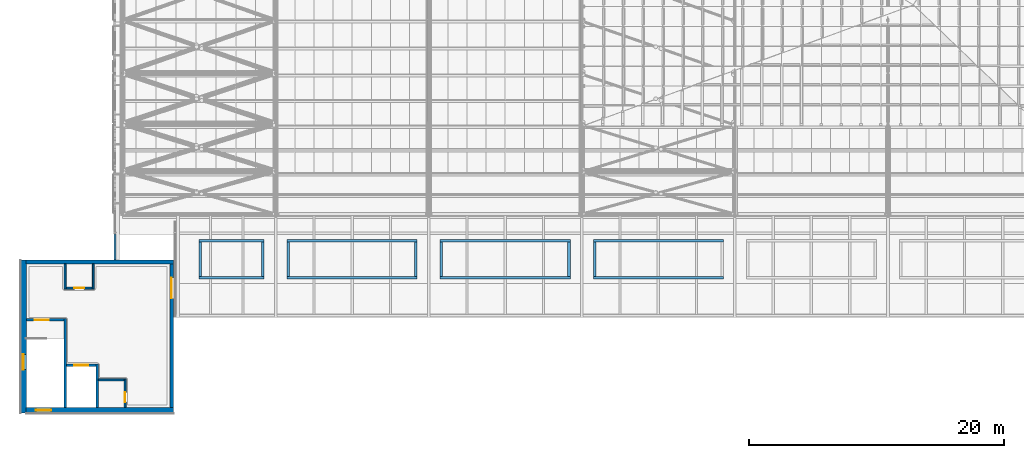
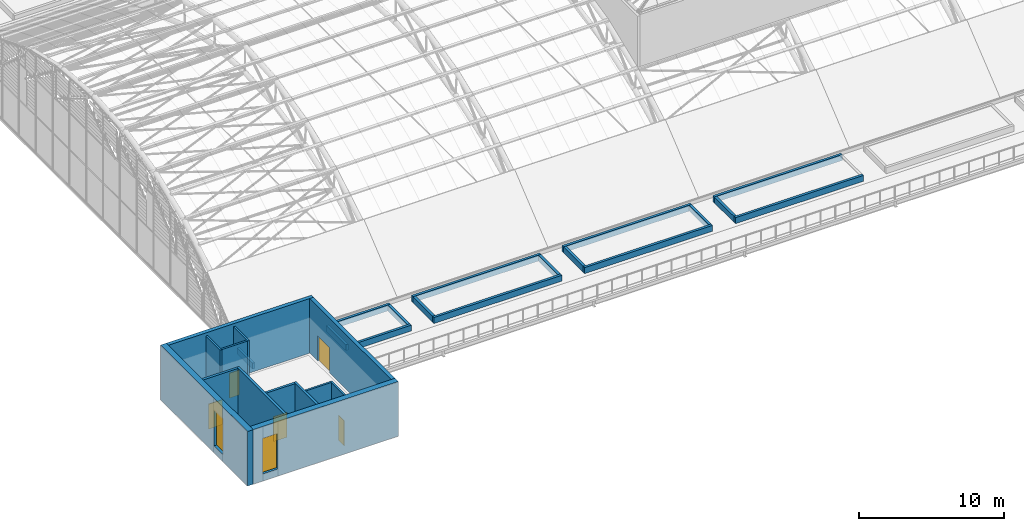
# One storey, part 81 of 110: 29 walls, 5 doors, 2 windows, 7 openings.
"""IFC4 building model written with IfcOpenShell, lengths in metres."""

import ifcopenshell
import ifcopenshell.guid

model = None  # the IFC model being written
_history = None  # IfcOwnerHistory: only IFC2X3 demands one
_inside = {}  # id of a spatial element -> (the spatial element, [elements in it])
_under = {}  # id of a project, library or spatial element -> (it, [spatial elements below it])
_declared = {}  # id of a project -> (the project, [libraries it declares])
_typed = {}  # id of a type object -> (the type object, [elements of that type])
_made_of = {}  # id of a material, layer set ... -> (it, [elements and type objects made of it])


def new_model(schema):
    """Start an empty IFC model of exactly this schema.

    Asked for "IFC4X3", IfcOpenShell would pick the latest addendum, in which some entities
    have other attributes; the version numbers below select the first issue.
    IFC2X3 requires an IfcOwnerHistory on every rooted entity: one is made here for all.
    """
    global model, _history
    if schema == "IFC4X3":
        model = ifcopenshell.file(schema_version=(4, 3, 0, 0))
    else:
        model = ifcopenshell.file(schema=schema)
    _inside.clear()
    _under.clear()
    _declared.clear()
    _typed.clear()
    _made_of.clear()
    _history = None
    if model.schema == "IFC2X3":
        org = make("IfcOrganization", Name="unknown")
        user = make(
            "IfcPersonAndOrganization",
            ThePerson=make("IfcPerson", FamilyName="unknown"),
            TheOrganization=org,
        )
        app = make(
            "IfcApplication",
            ApplicationDeveloper=org,
            Version="unknown",
            ApplicationFullName="unknown",
            ApplicationIdentifier="unknown",
        )
        _history = make(
            "IfcOwnerHistory",
            OwningUser=user,
            OwningApplication=app,
            ChangeAction="ADDED",
            CreationDate=0,
        )
    return model


def make(cls, **values):
    """One entity of the class cls with the attributes given. An attribute that is None is left unset."""
    return model.create_entity(
        cls, **{name: value for name, value in values.items() if value is not None}
    )


def rooted(cls, **values):
    """An entity with a GlobalId (a new one), such as an element, a storey or a relation."""
    return make(cls, GlobalId=ifcopenshell.guid.new(), OwnerHistory=_history, **values)


def si_unit(unit_type, name, prefix=None):
    """IfcSIUnit, for example si_unit("LENGTHUNIT", "METRE", prefix="MILLI")."""
    return make("IfcSIUnit", UnitType=unit_type, Prefix=prefix, Name=name)


def assignment(units):
    """IfcUnitAssignment: the units of a project."""
    return None if units is None else make("IfcUnitAssignment", Units=units)


def point(xyz):
    """IfcCartesianPoint."""
    return None if xyz is None else make("IfcCartesianPoint", Coordinates=xyz)


def direction(xyz):
    """IfcDirection."""
    return None if xyz is None else make("IfcDirection", DirectionRatios=xyz)


def frame(location, z_axis=None, x_axis=None):
    """IfcAxis2Placement3D, a coordinate frame: its origin and axes. An axis left out is left unset."""
    return make(
        "IfcAxis2Placement3D",
        Location=point(location),
        Axis=direction(z_axis),
        RefDirection=direction(x_axis),
    )


def frame_2d(location, x_axis=None):
    """IfcAxis2Placement2D, a coordinate frame in the plane: its origin and x axis."""
    return make(
        "IfcAxis2Placement2D", Location=point(location), RefDirection=direction(x_axis)
    )


def origin():
    """The frame at (0, 0, 0) with its axes left unset."""
    return frame((0.0, 0.0, 0.0))


def place(relative_to, where):
    """IfcLocalPlacement: puts the frame where relative to a parent placement (None: the world)."""
    return make(
        "IfcLocalPlacement", PlacementRelTo=relative_to, RelativePlacement=where
    )


def context(
    kind, dimensions, precision=None, world=None, true_north=None, identifier=None
):
    """IfcGeometricRepresentationContext, for example the 3D "Model" context."""
    return make(
        "IfcGeometricRepresentationContext",
        ContextIdentifier=identifier,
        ContextType=kind,
        CoordinateSpaceDimension=dimensions,
        Precision=precision,
        WorldCoordinateSystem=world,
        TrueNorth=true_north,
    )


def subcontext(parent, identifier, kind, view, scale=None):
    """IfcGeometricRepresentationSubContext, for example "Body" below "Model"."""
    return make(
        "IfcGeometricRepresentationSubContext",
        ContextIdentifier=identifier,
        ContextType=kind,
        ParentContext=parent,
        TargetScale=scale,
        TargetView=view,
    )


def project(units=None, contexts=None):
    """IfcProject with its units and contexts."""
    return rooted(
        "IfcProject",
        Name="project",
        RepresentationContexts=contexts,
        UnitsInContext=assignment(units),
    )


def spatial(cls, under=None, at=None, **own):
    """A site, building, storey or space (cls), placed at a placement, below another one or the project."""
    s = rooted(cls, ObjectPlacement=at, **own)
    if under is not None:
        _under.setdefault(under.id(), (under, []))[1].append(s)
    return s


def profile(cls, at=None, kind="AREA", **sizes):
    """A parametric profile (cls). Its sizes go by their IFC names, for example OverallWidth=200.0."""
    return make(cls, ProfileType=kind, Position=at, **sizes)


def rectangle(**sizes):
    """IfcRectangleProfileDef."""
    return profile("IfcRectangleProfileDef", **sizes)


def extrude(swept, where, along, depth):
    """IfcExtrudedAreaSolid: the profile swept, set in the frame where, extruded along a direction by depth."""
    return make(
        "IfcExtrudedAreaSolid",
        SweptArea=swept,
        Position=where,
        ExtrudedDirection=direction(along),
        Depth=depth,
    )


def shape(context_of_items, identifier, shape_type, items):
    """IfcShapeRepresentation: the items that make up one representation, for example the "Body"."""
    return make(
        "IfcShapeRepresentation",
        ContextOfItems=context_of_items,
        RepresentationIdentifier=identifier,
        RepresentationType=shape_type,
        Items=items,
    )


def material(Name=None, Category=None):
    """IfcMaterial."""
    return make("IfcMaterial", Name=Name, Category=Category)


def layer(
    of_material, thickness, ventilated=None, Name=None, Category=None, Priority=None
):
    """IfcMaterialLayer: one layer of a wall or slab, of a material (None: an air gap)."""
    return make(
        "IfcMaterialLayer",
        Material=of_material,
        LayerThickness=thickness,
        IsVentilated=ventilated,
        Name=Name,
        Category=Category,
        Priority=Priority,
    )


def layer_set(layers, Name=None):
    """IfcMaterialLayerSet."""
    return make("IfcMaterialLayerSet", MaterialLayers=layers, LayerSetName=Name)


def made_of(thing, what):
    """Note that an element or type object is made of a material, layer set ...; save() writes the relation."""
    if what is not None:
        _made_of.setdefault(what.id(), (what, []))[1].append(thing)
    return thing


def type_object(cls, material=None, **own):
    """A type object (cls), such as IfcWallType, which elements share."""
    return made_of(rooted(cls, **own), material)


def element(
    cls,
    number,
    at=None,
    inside=None,
    cuts=None,
    type_object=None,
    material=None,
    context=None,
    identifier="Body",
    shape_type=None,
    held_by="IfcProductDefinitionShape",
    body=None,
    shapes=None,
    **own,
):
    """One element of the class cls, such as IfcWall. Its Tag is "e" and its number.

    at: its placement. inside: the storey or other place that contains it. cuts: it is an
    opening in that element (IfcRelVoidsElement). A single representation is given by context,
    identifier, shape_type and body (its items); several are given by shapes. held_by: the class
    of the entity that holds the representations. save() writes the other relations.
    """
    e = rooted(cls, Tag="e%d" % number, ObjectPlacement=at, **own)
    if body is not None:
        shapes = [shape(context, identifier, shape_type, body)]
    if shapes is not None:
        e.Representation = make(held_by, Representations=shapes)
    if inside is not None:
        _inside.setdefault(inside.id(), (inside, []))[1].append(e)
    if cuts is not None:
        rooted(
            "IfcRelVoidsElement", RelatingBuildingElement=cuts, RelatedOpeningElement=e
        )
    if type_object is not None:
        _typed.setdefault(type_object.id(), (type_object, []))[1].append(e)
    return made_of(e, material)


def fill(opening, filler):
    """IfcRelFillsElement: the door or window that sits in an opening."""
    return rooted(
        "IfcRelFillsElement",
        RelatingOpeningElement=opening,
        RelatedBuildingElement=filler,
    )


def aggregate(whole, parts):
    """IfcRelAggregates: a whole, such as a stair, and the parts it consists of."""
    return rooted("IfcRelAggregates", RelatingObject=whole, RelatedObjects=parts)


def save(model, path):
    """Write the relations noted so far, then the file.

    IfcRelAggregates (storeys below a building ...), IfcRelContainedInSpatialStructure (elements
    in a storey), IfcRelDefinesByType, IfcRelAssociatesMaterial and IfcRelDeclares: one each for
    every whole, place, type object, material and project.
    """
    for whole, parts in _under.values():
        aggregate(whole, parts)
    for where, things in _inside.values():
        rooted(
            "IfcRelContainedInSpatialStructure",
            RelatedElements=things,
            RelatingStructure=where,
        )
    for kind, things in _typed.values():
        rooted("IfcRelDefinesByType", RelatedObjects=things, RelatingType=kind)
    for what, things in _made_of.values():
        rooted("IfcRelAssociatesMaterial", RelatedObjects=things, RelatingMaterial=what)
    for by, libraries in _declared.values():
        rooted("IfcRelDeclares", RelatingContext=by, RelatedDefinitions=libraries)
    model.write(path)


model = new_model("IFC4")

# Units and contexts
model_context = context("Model", 3, precision=1e-05, world=origin(), true_north=direction((0.0, 1.0)))
body_context = subcontext(model_context, "Body", "Model", "MODEL_VIEW")
ifc_project = project(units=[si_unit("LENGTHUNIT", "METRE"), si_unit("AREAUNIT", "SQUARE_METRE"), si_unit("VOLUMEUNIT", "CUBIC_METRE"), si_unit("PLANEANGLEUNIT", "RADIAN"), si_unit("MASSUNIT", "GRAM", prefix="KILO")], contexts=[model_context])

# Site, building, storey
site_placement = place(None, origin())
site = spatial("IfcSite", under=ifc_project, at=site_placement, CompositionType="ELEMENT")
building_placement = place(site_placement, origin())
building = spatial("IfcBuilding", under=site, at=building_placement, Name="Windward Yard Aquatics Centre", CompositionType="ELEMENT")
storey_placement = place(building_placement, frame((0.0, 0.0, 22.60009765625)))
storey = spatial("IfcBuildingStorey", under=building, at=storey_placement, Name="L05", CompositionType="ELEMENT", Elevation=22.60009765625)

# Wall
ifc_material_1 = material(Name="Concrete C35/45", Category="concrete")
ifc_layer_1 = layer(ifc_material_1, 0.199951171875)
ifc_layer_set_1 = layer_set([ifc_layer_1], Name="H Enclosure Wall Concrete C35/45 200")
wall_type_1 = type_object("IfcWallType", Name="H Enclosure Wall Concrete C35/45 200", PredefinedType="SOLIDWALL", material=ifc_layer_set_1)
wall_1_placement = place(storey_placement, frame((55.5, 26.449951171875, 0.0), z_axis=(0.0, 0.0, 1.0), x_axis=(0.0, 1.0, 0.0)))
element("IfcWall", 1, at=wall_1_placement, inside=storey, type_object=wall_type_1, Name="L05 W1 enclosure wall SW", PredefinedType="SOLIDWALL", context=body_context, shape_type="SweptSolid", body=[
    extrude(rectangle(XDim=6.949951171875, YDim=0.199951171875, at=frame_2d((3.47509765625, 0.0))), origin(), (0.0, 0.0, 1.0), 4.349853515625),
])

# Wall, opening, door
wall_2_placement = place(storey_placement, frame((52.449951171875, 33.300048828125, 0.0), z_axis=(0.0, 0.0, 1.0), x_axis=(1.0, 0.0, 0.0)))
wall_2 = element("IfcWall", 2, at=wall_2_placement, inside=storey, type_object=wall_type_1, Name="L05 W2 enclosure wall SW", PredefinedType="SOLIDWALL", context=body_context, shape_type="SweptSolid", body=[
    extrude(rectangle(XDim=2.949951171875, YDim=0.199951171875, at=frame_2d((1.47509765625, 0.0))), origin(), (0.0, 0.0, 1.0), 4.349853515625),
])
opening_1_placement = place(wall_2_placement, frame((0.64990234375, 0.0, 0.0)))
opening_1 = element("IfcOpeningElement", 3, at=opening_1_placement, cuts=wall_2, Name="Opening H5001", PredefinedType="OPENING", context=body_context, shape_type="SweptSolid", body=[
    extrude(rectangle(XDim=1.10009765625, YDim=2.10009765625, at=frame_2d((0.550048828125, 1.050048828125))), frame((0.0, 0.10986328125, 0.0), z_axis=(0.0, -1.0, 0.0), x_axis=(1.0, 0.0, 0.0)), (0.0, 0.0, 1.0), 0.219970703125),
])
ifc_material_2 = material(Name="Steel and timber door leaf", Category="steel")
door_type_1 = type_object("IfcDoorType", Name="H Door Single 1100 x 2100 FD60", OperationType="NOTDEFINED", PredefinedType="DOOR", material=ifc_material_2)
door_1_placement = place(opening_1_placement, origin())
door_1 = element("IfcDoor", 4, at=door_1_placement, inside=storey, type_object=door_type_1, Name="L05 stair SW door", OperationType="SINGLE_SWING_RIGHT", OverallHeight=2.10009765625, OverallWidth=1.10009765625, PredefinedType="DOOR", context=body_context, shape_type="SweptSolid", body=[
    extrude(rectangle(XDim=1.10009765625, YDim=2.10009765625, at=frame_2d((0.550048828125, 1.050048828125))), frame((0.0, 0.02490234375, 0.0), z_axis=(0.0, -1.0, 0.0), x_axis=(1.0, 0.0, 0.0)), (0.0, 0.0, 1.0), 0.050048828125),
])
fill(opening_1, door_1)

# Wall
wall_3_placement = place(storey_placement, frame((58.0, 26.449951171875, 0.0), z_axis=(0.0, 0.0, 1.0), x_axis=(0.0, 1.0, 0.0)))
element("IfcWall", 5, at=wall_3_placement, inside=storey, type_object=wall_type_1, Name="L05 W3 enclosure wall SW", PredefinedType="SOLIDWALL", context=body_context, shape_type="SweptSolid", body=[
    extrude(rectangle(XDim=3.400146484375, YDim=0.199951171875, at=frame_2d((1.7001953125, 0.0))), origin(), (0.0, 0.0, 1.0), 4.349853515625),
])

# Wall, opening, door
wall_4_placement = place(storey_placement, frame((55.60009765625, 29.75, 0.0), z_axis=(0.0, 0.0, 1.0), x_axis=(1.0, 0.0, 0.0)))
wall_4 = element("IfcWall", 6, at=wall_4_placement, inside=storey, type_object=wall_type_1, Name="L05 W4 enclosure wall SW", PredefinedType="SOLIDWALL", context=body_context, shape_type="SweptSolid", body=[
    extrude(rectangle(XDim=2.2998046875, YDim=0.199951171875, at=frame_2d((1.14990234375, 0.0))), origin(), (0.0, 0.0, 1.0), 4.349853515625),
])
opening_2_placement = place(wall_4_placement, frame((0.60009765625, 0.0, 0.0)))
opening_2 = element("IfcOpeningElement", 7, at=opening_2_placement, cuts=wall_4, Name="Opening H5002", PredefinedType="OPENING", context=body_context, shape_type="SweptSolid", body=[
    extrude(rectangle(XDim=1.10009765625, YDim=2.10009765625, at=frame_2d((0.550048828125, 1.050048828125))), frame((0.0, 0.10986328125, 0.0), z_axis=(0.0, -1.0, 0.0), x_axis=(1.0, 0.0, 0.0)), (0.0, 0.0, 1.0), 0.219970703125),
])
ifc_material_3 = material(Name="Stainless steel 1.4301", Category="steel")
door_type_2 = type_object("IfcDoorType", Name="H Lift Landing Door 1100 x 2100", OperationType="DOUBLE_DOOR_SLIDING", PredefinedType="DOOR", material=ifc_material_3)
door_2_placement = place(opening_2_placement, origin())
door_2 = element("IfcDoor", 8, at=door_2_placement, inside=storey, type_object=door_type_2, Name="Lift SW landing door L05", OperationType="DOUBLE_DOOR_SLIDING", OverallHeight=2.10009765625, OverallWidth=1.10009765625, PredefinedType="DOOR", context=body_context, shape_type="SweptSolid", body=[
    extrude(rectangle(XDim=1.10009765625, YDim=2.10009765625, at=frame_2d((0.550048828125, 1.050048828125))), frame((0.0, 0.02490234375, 0.0), z_axis=(0.0, -1.0, 0.0), x_axis=(1.0, 0.0, 0.0)), (0.0, 0.0, 1.0), 0.050048828125),
])
fill(opening_2, door_2)

# Wall
ifc_material_4 = material(Name="Blockwork 150 mm", Category="masonry")
ifc_layer_2 = layer(ifc_material_4, 0.14990234375)
ifc_layer_set_2 = layer_set([ifc_layer_2], Name="H Partition Blockwork 150")
wall_type_2 = type_object("IfcWallType", Name="H Partition Blockwork 150", PredefinedType="PARTITIONING", material=ifc_layer_set_2)
wall_5_placement = place(storey_placement, frame((58.10009765625, 28.60009765625, 0.0), z_axis=(0.0, 0.0, 1.0), x_axis=(1.0, 0.0, 0.0)))
element("IfcWall", 9, at=wall_5_placement, inside=storey, type_object=wall_type_2, Name="L05 R1N riser wall SW", PredefinedType="PARTITIONING", context=body_context, shape_type="SweptSolid", body=[
    extrude(rectangle(XDim=2.02490234375, YDim=0.14990234375, at=frame_2d((1.012451171875, 0.0))), origin(), (0.0, 0.0, 1.0), 4.349853515625),
])

# Wall, opening, door
wall_6_placement = place(storey_placement, frame((60.199951171875, 26.449951171875, 0.0), z_axis=(0.0, 0.0, 1.0), x_axis=(0.0, 1.0, 0.0)))
wall_6 = element("IfcWall", 10, at=wall_6_placement, inside=storey, type_object=wall_type_2, Name="L05 R1E riser wall SW", PredefinedType="PARTITIONING", context=body_context, shape_type="SweptSolid", body=[
    extrude(rectangle(XDim=2.22509765625, YDim=0.14990234375, at=frame_2d((1.112548828125, 0.0))), origin(), (0.0, 0.0, 1.0), 4.349853515625),
])
opening_3_placement = place(wall_6_placement, frame((0.39990234375, 0.0, 0.0)))
opening_3 = element("IfcOpeningElement", 11, at=opening_3_placement, cuts=wall_6, Name="Opening H5003", PredefinedType="OPENING", context=body_context, shape_type="SweptSolid", body=[
    extrude(rectangle(XDim=0.800048828125, YDim=2.10009765625, at=frame_2d((0.39990234375, 1.050048828125))), frame((0.0, 0.0849609375, 0.0), z_axis=(0.0, -1.0, 0.0), x_axis=(1.0, 0.0, 0.0)), (0.0, 0.0, 1.0), 0.169921875),
])
door_type_3 = type_object("IfcDoorType", Name="H Door Riser 800 x 2100 FD60", OperationType="NOTDEFINED", PredefinedType="DOOR", material=ifc_material_2)
door_3_placement = place(opening_3_placement, origin())
door_3 = element("IfcDoor", 12, at=door_3_placement, inside=storey, type_object=door_type_3, Name="L05 electrical riser SW door", OperationType="SINGLE_SWING_LEFT", OverallHeight=2.10009765625, OverallWidth=0.800048828125, PredefinedType="DOOR", context=body_context, shape_type="SweptSolid", body=[
    extrude(rectangle(XDim=0.800048828125, YDim=2.10009765625, at=frame_2d((0.39990234375, 1.050048828125))), frame((0.0, 0.02490234375, 0.0), z_axis=(0.0, -1.0, 0.0), x_axis=(1.0, 0.0, 0.0)), (0.0, 0.0, 1.0), 0.050048828125),
])
fill(opening_3, door_3)

wall_7_placement = place(storey_placement, frame((55.574951171875, 35.800048828125, 0.0), z_axis=(0.0, 0.0, 1.0), x_axis=(1.0, 0.0, 0.0)))
wall_7 = element("IfcWall", 13, at=wall_7_placement, inside=storey, type_object=wall_type_2, Name="L05 R2S riser wall SW", PredefinedType="PARTITIONING", context=body_context, shape_type="SweptSolid", body=[
    extrude(rectangle(XDim=2.050048828125, YDim=0.14990234375, at=frame_2d((1.02490234375, 0.0))), origin(), (0.0, 0.0, 1.0), 4.349853515625),
])
opening_4_placement = place(wall_7_placement, frame((0.625, 0.0, 0.0)))
opening_4 = element("IfcOpeningElement", 14, at=opening_4_placement, cuts=wall_7, Name="Opening H5004", PredefinedType="OPENING", context=body_context, shape_type="SweptSolid", body=[
    extrude(rectangle(XDim=0.800048828125, YDim=2.10009765625, at=frame_2d((0.39990234375, 1.050048828125))), frame((0.0, 0.0849609375, 0.0), z_axis=(0.0, -1.0, 0.0), x_axis=(1.0, 0.0, 0.0)), (0.0, 0.0, 1.0), 0.169921875),
])
door_4_placement = place(opening_4_placement, origin())
door_4 = element("IfcDoor", 15, at=door_4_placement, inside=storey, type_object=door_type_3, Name="L05 communications riser SW door", OperationType="SINGLE_SWING_RIGHT", OverallHeight=2.10009765625, OverallWidth=0.800048828125, PredefinedType="DOOR", context=body_context, shape_type="SweptSolid", body=[
    extrude(rectangle(XDim=0.800048828125, YDim=2.10009765625, at=frame_2d((0.39990234375, 1.050048828125))), frame((0.0, 0.02490234375, 0.0), z_axis=(0.0, -1.0, 0.0), x_axis=(1.0, 0.0, 0.0)), (0.0, 0.0, 1.0), 0.050048828125),
])
fill(opening_4, door_4)

# Walls
for number, where, z_axis, x_axis, name in (
    (16, (55.5, 35.72509765625, 0.0), (0.0, 0.0, 1.0), (0.0, 1.0, 0.0), "L05 R2W riser wall SW"),
    (17, (57.699951171875, 35.72509765625, 0.0), (0.0, 0.0, 1.0), (0.0, 1.0, 0.0), "L05 R2E riser wall SW"),
):
    element("IfcWall", number, at=place(storey_placement, frame(where, z_axis=z_axis, x_axis=x_axis)), inside=storey, type_object=wall_type_2, Name=name, PredefinedType="PARTITIONING", context=body_context, shape_type="SweptSolid", body=[
        extrude(rectangle(XDim=1.974853515625, YDim=0.14990234375, at=frame_2d((0.9873046875, 0.0))), origin(), (0.0, 0.0, 1.0), 4.349853515625),
    ])
ifc_layer_3 = layer(ifc_material_1, 0.179931640625)
ifc_layer_set_3 = layer_set([ifc_layer_3], Name="H gable parapet wall 180 C35/45")
wall_type_3 = type_object("IfcWallType", Name="H gable parapet wall 180 C35/45", PredefinedType="PARAPET", material=ifc_layer_set_3)
wall_8_placement = place(storey_placement, frame((59.409912109375, 38.0, 0.0), z_axis=(0.0, 0.0, 1.0), x_axis=(0.0, 1.0, 0.0)))
element("IfcWall", 18, at=wall_8_placement, inside=storey, type_object=wall_type_3, Name="Gable parapet WA", PredefinedType="PARAPET", context=body_context, shape_type="SweptSolid", body=[
    extrude(rectangle(XDim=2.126953125, YDim=0.179931640625, at=frame_2d((1.0634765625, 0.0))), origin(), (0.0, 0.0, 1.0), 0.5),
])
ifc_layer_4 = layer(ifc_material_1, 0.199951171875)
ifc_layer_set_4 = layer_set([ifc_layer_4], Name="H planter kerb wall 200 C35/45")
wall_type_4 = type_object("IfcWallType", Name="H planter kerb wall 200 C35/45", PredefinedType="PARAPET", material=ifc_layer_set_4)
for number, where, z_axis, x_axis, name in (
    (19, (66.0, 36.60009765625, 0.0), (0.0, 0.0, 1.0), (1.0, 0.0, 0.0), "Planting bed T2 S1 kerb S"),
    (20, (66.0, 39.5, 0.0), (0.0, 0.0, 1.0), (1.0, 0.0, 0.0), "Planting bed T2 S1 kerb N"),
):
    element("IfcWall", number, at=place(storey_placement, frame(where, z_axis=z_axis, x_axis=x_axis)), inside=storey, type_object=wall_type_4, Name=name, PredefinedType="PARAPET", context=body_context, shape_type="SweptSolid", body=[
        extrude(rectangle(XDim=5.10009765625, YDim=0.199951171875, at=frame_2d((2.550048828125, 0.0))), origin(), (0.0, 0.0, 1.0), 0.5),
    ])
for number, where, z_axis, x_axis, name in (
    (21, (66.10009765625, 36.699951171875, 0.0), (0.0, 0.0, 1.0), (0.0, 1.0, 0.0), "Planting bed T2 S1 kerb W"),
    (22, (71.0, 36.699951171875, 0.0), (0.0, 0.0, 1.0), (0.0, 1.0, 0.0), "Planting bed T2 S1 kerb E"),
):
    element("IfcWall", number, at=place(storey_placement, frame(where, z_axis=z_axis, x_axis=x_axis)), inside=storey, type_object=wall_type_4, Name=name, PredefinedType="PARAPET", context=body_context, shape_type="SweptSolid", body=[
        extrude(rectangle(XDim=2.699951171875, YDim=0.199951171875, at=frame_2d((1.35009765625, 0.0))), origin(), (0.0, 0.0, 1.0), 0.5),
    ])
for number, where, z_axis, x_axis, name in (
    (23, (72.89990234375, 36.60009765625, 0.0), (0.0, 0.0, 1.0), (1.0, 0.0, 0.0), "Planting bed T2 S2 kerb S"),
    (24, (72.89990234375, 39.5, 0.0), (0.0, 0.0, 1.0), (1.0, 0.0, 0.0), "Planting bed T2 S2 kerb N"),
):
    element("IfcWall", number, at=place(storey_placement, frame(where, z_axis=z_axis, x_axis=x_axis)), inside=storey, type_object=wall_type_4, Name=name, PredefinedType="PARAPET", context=body_context, shape_type="SweptSolid", body=[
        extrude(rectangle(XDim=10.2001953125, YDim=0.199951171875, at=frame_2d((5.10009765625, 0.0))), origin(), (0.0, 0.0, 1.0), 0.5),
    ])
for number, where, z_axis, x_axis, name in (
    (25, (73.0, 36.699951171875, 0.0), (0.0, 0.0, 1.0), (0.0, 1.0, 0.0), "Planting bed T2 S2 kerb W"),
    (26, (83.0, 36.699951171875, 0.0), (0.0, 0.0, 1.0), (0.0, 1.0, 0.0), "Planting bed T2 S2 kerb E"),
):
    element("IfcWall", number, at=place(storey_placement, frame(where, z_axis=z_axis, x_axis=x_axis)), inside=storey, type_object=wall_type_4, Name=name, PredefinedType="PARAPET", context=body_context, shape_type="SweptSolid", body=[
        extrude(rectangle(XDim=2.699951171875, YDim=0.199951171875, at=frame_2d((1.35009765625, 0.0))), origin(), (0.0, 0.0, 1.0), 0.5),
    ])
for number, where, z_axis, x_axis, name in (
    (27, (84.89990234375, 36.60009765625, 0.0), (0.0, 0.0, 1.0), (1.0, 0.0, 0.0), "Planting bed T2 S3 kerb S"),
    (28, (84.89990234375, 39.5, 0.0), (0.0, 0.0, 1.0), (1.0, 0.0, 0.0), "Planting bed T2 S3 kerb N"),
):
    element("IfcWall", number, at=place(storey_placement, frame(where, z_axis=z_axis, x_axis=x_axis)), inside=storey, type_object=wall_type_4, Name=name, PredefinedType="PARAPET", context=body_context, shape_type="SweptSolid", body=[
        extrude(rectangle(XDim=10.2001953125, YDim=0.199951171875, at=frame_2d((5.10009765625, 0.0))), origin(), (0.0, 0.0, 1.0), 0.5),
    ])
for number, where, z_axis, x_axis, name in (
    (29, (85.0, 36.699951171875, 0.0), (0.0, 0.0, 1.0), (0.0, 1.0, 0.0), "Planting bed T2 S3 kerb W"),
    (30, (95.0, 36.699951171875, 0.0), (0.0, 0.0, 1.0), (0.0, 1.0, 0.0), "Planting bed T2 S3 kerb E"),
):
    element("IfcWall", number, at=place(storey_placement, frame(where, z_axis=z_axis, x_axis=x_axis)), inside=storey, type_object=wall_type_4, Name=name, PredefinedType="PARAPET", context=body_context, shape_type="SweptSolid", body=[
        extrude(rectangle(XDim=2.699951171875, YDim=0.199951171875, at=frame_2d((1.35009765625, 0.0))), origin(), (0.0, 0.0, 1.0), 0.5),
    ])
for number, where, z_axis, x_axis, name in (
    (31, (96.89990234375, 36.60009765625, 0.0), (0.0, 0.0, 1.0), (1.0, 0.0, 0.0), "Planting bed T2 S4 kerb S"),
    (32, (96.89990234375, 39.5, 0.0), (0.0, 0.0, 1.0), (1.0, 0.0, 0.0), "Planting bed T2 S4 kerb N"),
):
    element("IfcWall", number, at=place(storey_placement, frame(where, z_axis=z_axis, x_axis=x_axis)), inside=storey, type_object=wall_type_4, Name=name, PredefinedType="PARAPET", context=body_context, shape_type="SweptSolid", body=[
        extrude(rectangle(XDim=10.2001953125, YDim=0.199951171875, at=frame_2d((5.10009765625, 0.0))), origin(), (0.0, 0.0, 1.0), 0.5),
    ])
wall_9_placement = place(storey_placement, frame((97.0, 36.699951171875, 0.0), z_axis=(0.0, 0.0, 1.0), x_axis=(0.0, 1.0, 0.0)))
element("IfcWall", 33, at=wall_9_placement, inside=storey, type_object=wall_type_4, Name="Planting bed T2 S4 kerb W", PredefinedType="PARAPET", context=body_context, shape_type="SweptSolid", body=[
    extrude(rectangle(XDim=2.699951171875, YDim=0.199951171875, at=frame_2d((1.35009765625, 0.0))), origin(), (0.0, 0.0, 1.0), 0.5),
])

# Wall, opening, window
ifc_material_5 = material(Name="Natural stone cladding", Category="masonry")
ifc_layer_5 = layer(ifc_material_5, 0.04, Name="Cladding")
ifc_material_6 = material(Name="Ventilated air cavity")
ifc_layer_6 = layer(ifc_material_6, 0.05, ventilated=True, Name="Ventilated cavity")
ifc_material_7 = material(Name="Mineral wool insulation")
ifc_layer_7 = layer(ifc_material_7, 0.08, Name="Insulation")
ifc_layer_8 = layer(ifc_material_1, 0.28, Name="Structure")
ifc_layer_set_5 = layer_set([ifc_layer_5, ifc_layer_6, ifc_layer_7, ifc_layer_8], Name="H plinth wall stone faced 450 C35/45")
wall_type_5 = type_object("IfcWallType", Name="H plinth wall stone faced 450 C35/45", PredefinedType="ELEMENTEDWALL", material=ifc_layer_set_5)
wall_10_placement = place(storey_placement, frame((52.22509765625, 26.0, 0.0), z_axis=(0.0, 0.0, 1.0), x_axis=(0.0, 1.0, 0.0)))
wall_10 = element("IfcWall", 34, at=wall_10_placement, inside=storey, type_object=wall_type_5, Name="H.CW.SW.W.L05", PredefinedType="ELEMENTEDWALL", context=body_context, shape_type="SweptSolid", body=[
    extrude(rectangle(XDim=12.0, YDim=0.449951171875, at=frame_2d((6.0, 0.0))), origin(), (0.0, 0.0, 1.0), 4.599853515625),
])
opening_5_placement = place(wall_10_placement, frame((3.39990234375, 0.0, 0.60009765625)))
opening_5 = element("IfcOpeningElement", 35, at=opening_5_placement, cuts=wall_10, Name="Opening W5021", PredefinedType="OPENING", context=body_context, shape_type="SweptSolid", body=[
    extrude(rectangle(XDim=1.199951171875, YDim=3.0, at=frame_2d((0.60009765625, 1.5))), frame((0.0, 0.23486328125, 0.0), z_axis=(0.0, -1.0, 0.0), x_axis=(1.0, 0.0, 0.0)), (0.0, 0.0, 1.0), 0.469970703125),
])
ifc_material_8 = material(Name="Fire-resisting glazing in steel frame", Category="steel")
window_type = type_object("IfcWindowType", Name="H Core Stair Window 1200 x 3000 EI 60", PartitioningType="SINGLE_PANEL", PredefinedType="WINDOW", material=ifc_material_8)
window_1_placement = place(opening_5_placement, origin())
window_1 = element("IfcWindow", 36, at=window_1_placement, inside=storey, type_object=window_type, Name="L05 core SW stair window", OverallHeight=3.0, OverallWidth=1.199951171875, PartitioningType="SINGLE_PANEL", PredefinedType="WINDOW", context=body_context, shape_type="SweptSolid", body=[
    extrude(rectangle(XDim=1.199951171875, YDim=3.0, at=frame_2d((0.60009765625, 1.5))), frame((0.0, 0.030029296875, 0.0), z_axis=(0.0, -1.0, 0.0), x_axis=(1.0, 0.0, 0.0)), (0.0, 0.0, 1.0), 0.06005859375),
])
fill(opening_5, window_1)

wall_11_placement = place(storey_placement, frame((52.449951171875, 26.22509765625, 0.0), z_axis=(0.0, 0.0, 1.0), x_axis=(1.0, 0.0, 0.0)))
wall_11 = element("IfcWall", 37, at=wall_11_placement, inside=storey, type_object=wall_type_5, Name="H.CW.SW.S.L05", PredefinedType="ELEMENTEDWALL", context=body_context, shape_type="SweptSolid", body=[
    extrude(rectangle(XDim=11.550048828125, YDim=0.449951171875, at=frame_2d((5.77490234375, 0.0))), origin(), (0.0, 0.0, 1.0), 4.599853515625),
])
opening_6_placement = place(wall_11_placement, frame((0.75, 0.0, 0.60009765625)))
opening_6 = element("IfcOpeningElement", 38, at=opening_6_placement, cuts=wall_11, Name="Opening W5022", PredefinedType="OPENING", context=body_context, shape_type="SweptSolid", body=[
    extrude(rectangle(XDim=1.199951171875, YDim=3.0, at=frame_2d((0.60009765625, 1.5))), frame((0.0, 0.23486328125, 0.0), z_axis=(0.0, -1.0, 0.0), x_axis=(1.0, 0.0, 0.0)), (0.0, 0.0, 1.0), 0.469970703125),
])
window_2_placement = place(opening_6_placement, origin())
window_2 = element("IfcWindow", 39, at=window_2_placement, inside=storey, type_object=window_type, Name="L05 core SW stair window", OverallHeight=3.0, OverallWidth=1.199951171875, PartitioningType="SINGLE_PANEL", PredefinedType="WINDOW", context=body_context, shape_type="SweptSolid", body=[
    extrude(rectangle(XDim=1.199951171875, YDim=3.0, at=frame_2d((0.60009765625, 1.5))), frame((0.0, 0.030029296875, 0.0), z_axis=(0.0, -1.0, 0.0), x_axis=(1.0, 0.0, 0.0)), (0.0, 0.0, 1.0), 0.06005859375),
])
fill(opening_6, window_2)

# Wall, opening, door
ifc_layer_9 = layer(ifc_material_1, 0.300048828125)
ifc_layer_set_6 = layer_set([ifc_layer_9], Name="H rear wall 300 C35/45")
wall_type_6 = type_object("IfcWallType", Name="H rear wall 300 C35/45", PredefinedType="SOLIDWALL", material=ifc_layer_set_6)
wall_12_placement = place(storey_placement, frame((63.85009765625, 26.449951171875, 0.0), z_axis=(0.0, 0.0, 1.0), x_axis=(0.0, 1.0, 0.0)))
wall_12 = element("IfcWall", 40, at=wall_12_placement, inside=storey, type_object=wall_type_6, Name="H.CW.SW.E.L05", PredefinedType="SOLIDWALL", context=body_context, shape_type="SweptSolid", body=[
    extrude(rectangle(XDim=11.25, YDim=0.300048828125, at=frame_2d((5.625, 0.0))), origin(), (0.0, 0.0, 1.0), 4.599853515625),
])
opening_7_placement = place(wall_12_placement, frame((8.550048828125, 0.0, 0.0)))
opening_7 = element("IfcOpeningElement", 41, at=opening_7_placement, cuts=wall_12, Name="Opening H5005", PredefinedType="OPENING", context=body_context, shape_type="SweptSolid", body=[
    extrude(rectangle(XDim=1.60009765625, YDim=2.10009765625, at=frame_2d((0.800048828125, 1.050048828125))), frame((0.0, 0.16015625, 0.0), z_axis=(0.0, -1.0, 0.0), x_axis=(1.0, 0.0, 0.0)), (0.0, 0.0, 1.0), 0.320068359375),
])
door_type_4 = type_object("IfcDoorType", Name="H Door Double 1600 x 2100 FD60", OperationType="DOUBLE_DOOR_SINGLE_SWING", PredefinedType="DOOR", material=ifc_material_2)
door_5_placement = place(opening_7_placement, origin())
door_5 = element("IfcDoor", 42, at=door_5_placement, inside=storey, type_object=door_type_4, Name="L05 core SW door to strip", OperationType="DOUBLE_DOOR_SINGLE_SWING", OverallHeight=2.10009765625, OverallWidth=1.60009765625, PredefinedType="DOOR", context=body_context, shape_type="SweptSolid", body=[
    extrude(rectangle(XDim=1.60009765625, YDim=2.10009765625, at=frame_2d((0.800048828125, 1.050048828125))), frame((0.0, 0.02490234375, 0.0), z_axis=(0.0, -1.0, 0.0), x_axis=(1.0, 0.0, 0.0)), (0.0, 0.0, 1.0), 0.050048828125),
])
fill(opening_7, door_5)

# Wall
wall_13_placement = place(storey_placement, frame((52.449951171875, 37.85009765625, 0.0), z_axis=(0.0, 0.0, 1.0), x_axis=(1.0, 0.0, 0.0)))
element("IfcWall", 43, at=wall_13_placement, inside=storey, type_object=wall_type_6, Name="H.CW.SW.N.L05", PredefinedType="SOLIDWALL", context=body_context, shape_type="SweptSolid", body=[
    extrude(rectangle(XDim=11.550048828125, YDim=0.300048828125, at=frame_2d((5.77490234375, 0.0))), origin(), (0.0, 0.0, 1.0), 4.599853515625),
])

save(model, "model.ifc")
